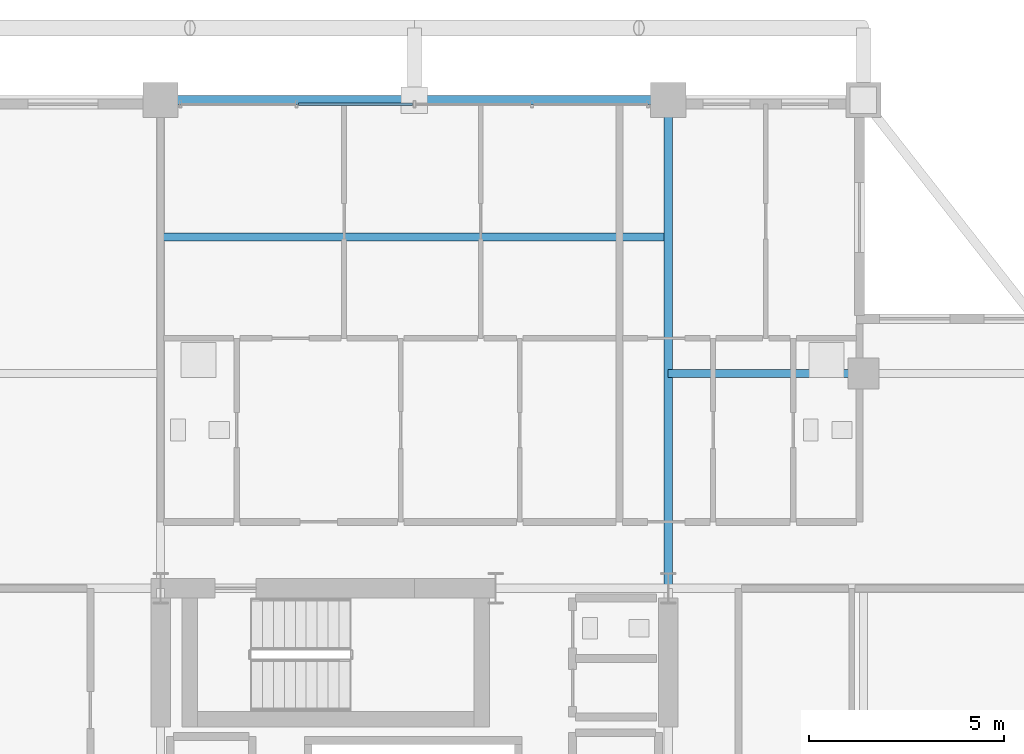
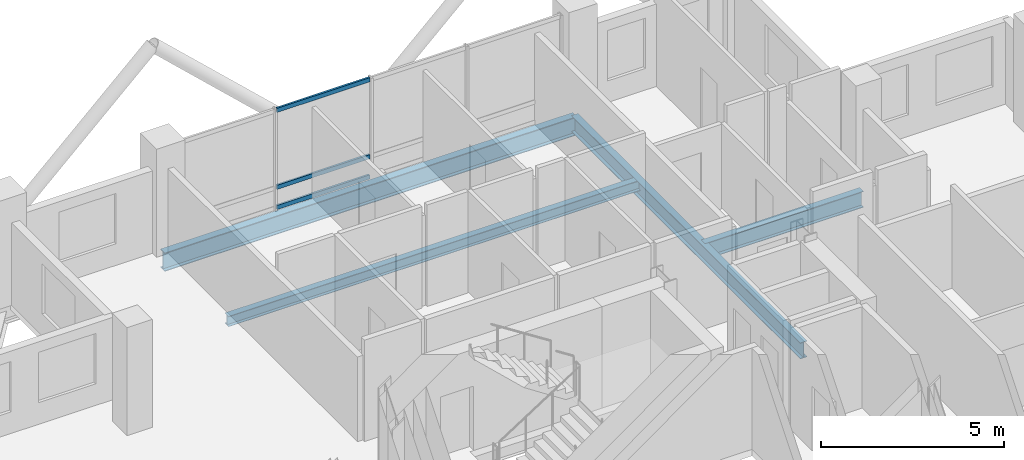
# One storey, part 16 of 24: 4 beams, 3 members, 1 element without a shape of its own.
"""IFC4 building model written with IfcOpenShell, lengths in metres."""

import ifcopenshell
import ifcopenshell.guid

model = None  # the IFC model being written
_history = None  # IfcOwnerHistory: only IFC2X3 demands one
_inside = {}  # id of a spatial element -> (the spatial element, [elements in it])
_under = {}  # id of a project, library or spatial element -> (it, [spatial elements below it])
_declared = {}  # id of a project -> (the project, [libraries it declares])
_typed = {}  # id of a type object -> (the type object, [elements of that type])
_made_of = {}  # id of a material, layer set ... -> (it, [elements and type objects made of it])


def new_model(schema):
    """Start an empty IFC model of exactly this schema.

    Asked for "IFC4X3", IfcOpenShell would pick the latest addendum, in which some entities
    have other attributes; the version numbers below select the first issue.
    IFC2X3 requires an IfcOwnerHistory on every rooted entity: one is made here for all.
    """
    global model, _history
    if schema == "IFC4X3":
        model = ifcopenshell.file(schema_version=(4, 3, 0, 0))
    else:
        model = ifcopenshell.file(schema=schema)
    _inside.clear()
    _under.clear()
    _declared.clear()
    _typed.clear()
    _made_of.clear()
    _history = None
    if model.schema == "IFC2X3":
        org = make("IfcOrganization", Name="unknown")
        user = make(
            "IfcPersonAndOrganization",
            ThePerson=make("IfcPerson", FamilyName="unknown"),
            TheOrganization=org,
        )
        app = make(
            "IfcApplication",
            ApplicationDeveloper=org,
            Version="unknown",
            ApplicationFullName="unknown",
            ApplicationIdentifier="unknown",
        )
        _history = make(
            "IfcOwnerHistory",
            OwningUser=user,
            OwningApplication=app,
            ChangeAction="ADDED",
            CreationDate=0,
        )
    return model


def make(cls, **values):
    """One entity of the class cls with the attributes given. An attribute that is None is left unset."""
    return model.create_entity(
        cls, **{name: value for name, value in values.items() if value is not None}
    )


def rooted(cls, **values):
    """An entity with a GlobalId (a new one), such as an element, a storey or a relation."""
    return make(cls, GlobalId=ifcopenshell.guid.new(), OwnerHistory=_history, **values)


def si_unit(unit_type, name, prefix=None):
    """IfcSIUnit, for example si_unit("LENGTHUNIT", "METRE", prefix="MILLI")."""
    return make("IfcSIUnit", UnitType=unit_type, Prefix=prefix, Name=name)


def assignment(units):
    """IfcUnitAssignment: the units of a project."""
    return None if units is None else make("IfcUnitAssignment", Units=units)


def point(xyz):
    """IfcCartesianPoint."""
    return None if xyz is None else make("IfcCartesianPoint", Coordinates=xyz)


def direction(xyz):
    """IfcDirection."""
    return None if xyz is None else make("IfcDirection", DirectionRatios=xyz)


def frame(location, z_axis=None, x_axis=None):
    """IfcAxis2Placement3D, a coordinate frame: its origin and axes. An axis left out is left unset."""
    return make(
        "IfcAxis2Placement3D",
        Location=point(location),
        Axis=direction(z_axis),
        RefDirection=direction(x_axis),
    )


def frame_2d(location, x_axis=None):
    """IfcAxis2Placement2D, a coordinate frame in the plane: its origin and x axis."""
    return make(
        "IfcAxis2Placement2D", Location=point(location), RefDirection=direction(x_axis)
    )


def origin():
    """The frame at (0, 0, 0) with its axes left unset."""
    return frame((0.0, 0.0, 0.0))


def origin_2d():
    """The frame at (0, 0) in the plane with its x axis left unset."""
    return frame_2d((0.0, 0.0))


def place(relative_to, where):
    """IfcLocalPlacement: puts the frame where relative to a parent placement (None: the world)."""
    return make(
        "IfcLocalPlacement", PlacementRelTo=relative_to, RelativePlacement=where
    )


def context(
    kind, dimensions, precision=None, world=None, true_north=None, identifier=None
):
    """IfcGeometricRepresentationContext, for example the 3D "Model" context."""
    return make(
        "IfcGeometricRepresentationContext",
        ContextIdentifier=identifier,
        ContextType=kind,
        CoordinateSpaceDimension=dimensions,
        Precision=precision,
        WorldCoordinateSystem=world,
        TrueNorth=true_north,
    )


def subcontext(parent, identifier, kind, view, scale=None):
    """IfcGeometricRepresentationSubContext, for example "Body" below "Model"."""
    return make(
        "IfcGeometricRepresentationSubContext",
        ContextIdentifier=identifier,
        ContextType=kind,
        ParentContext=parent,
        TargetScale=scale,
        TargetView=view,
    )


def project(units=None, contexts=None):
    """IfcProject with its units and contexts."""
    return rooted(
        "IfcProject",
        Name="project",
        RepresentationContexts=contexts,
        UnitsInContext=assignment(units),
    )


def spatial(cls, under=None, at=None, **own):
    """A site, building, storey or space (cls), placed at a placement, below another one or the project."""
    s = rooted(cls, ObjectPlacement=at, **own)
    if under is not None:
        _under.setdefault(under.id(), (under, []))[1].append(s)
    return s


def profile(cls, at=None, kind="AREA", **sizes):
    """A parametric profile (cls). Its sizes go by their IFC names, for example OverallWidth=200.0."""
    return make(cls, ProfileType=kind, Position=at, **sizes)


def hollow_rectangle(**sizes):
    """IfcRectangleHollowProfileDef."""
    return profile("IfcRectangleHollowProfileDef", **sizes)


def i_section(**sizes):
    """IfcIShapeProfileDef."""
    return profile("IfcIShapeProfileDef", **sizes)


def extrude(swept, where, along, depth):
    """IfcExtrudedAreaSolid: the profile swept, set in the frame where, extruded along a direction by depth."""
    return make(
        "IfcExtrudedAreaSolid",
        SweptArea=swept,
        Position=where,
        ExtrudedDirection=direction(along),
        Depth=depth,
    )


def shape(context_of_items, identifier, shape_type, items):
    """IfcShapeRepresentation: the items that make up one representation, for example the "Body"."""
    return make(
        "IfcShapeRepresentation",
        ContextOfItems=context_of_items,
        RepresentationIdentifier=identifier,
        RepresentationType=shape_type,
        Items=items,
    )


def material(Name=None, Category=None):
    """IfcMaterial."""
    return make("IfcMaterial", Name=Name, Category=Category)


def layer(
    of_material, thickness, ventilated=None, Name=None, Category=None, Priority=None
):
    """IfcMaterialLayer: one layer of a wall or slab, of a material (None: an air gap)."""
    return make(
        "IfcMaterialLayer",
        Material=of_material,
        LayerThickness=thickness,
        IsVentilated=ventilated,
        Name=Name,
        Category=Category,
        Priority=Priority,
    )


def layer_set(layers, Name=None):
    """IfcMaterialLayerSet."""
    return make("IfcMaterialLayerSet", MaterialLayers=layers, LayerSetName=Name)


def material_profile(
    of_material, cross_section, Name=None, Category=None, Priority=None
):
    """IfcMaterialProfile: a cross section and its material."""
    return make(
        "IfcMaterialProfile",
        Name=Name,
        Material=of_material,
        Profile=cross_section,
        Priority=Priority,
        Category=Category,
    )


def profile_set(profiles, Name=None, composite=None):
    """IfcMaterialProfileSet."""
    return make(
        "IfcMaterialProfileSet",
        Name=Name,
        MaterialProfiles=profiles,
        CompositeProfile=composite,
    )


def made_of(thing, what):
    """Note that an element or type object is made of a material, layer set ...; save() writes the relation."""
    if what is not None:
        _made_of.setdefault(what.id(), (what, []))[1].append(thing)
    return thing


def type_object(cls, material=None, **own):
    """A type object (cls), such as IfcWallType, which elements share."""
    return made_of(rooted(cls, **own), material)


def element(
    cls,
    number,
    at=None,
    inside=None,
    cuts=None,
    type_object=None,
    material=None,
    context=None,
    identifier="Body",
    shape_type=None,
    held_by="IfcProductDefinitionShape",
    body=None,
    shapes=None,
    **own,
):
    """One element of the class cls, such as IfcWall. Its Tag is "e" and its number.

    at: its placement. inside: the storey or other place that contains it. cuts: it is an
    opening in that element (IfcRelVoidsElement). A single representation is given by context,
    identifier, shape_type and body (its items); several are given by shapes. held_by: the class
    of the entity that holds the representations. save() writes the other relations.
    """
    e = rooted(cls, Tag="e%d" % number, ObjectPlacement=at, **own)
    if body is not None:
        shapes = [shape(context, identifier, shape_type, body)]
    if shapes is not None:
        e.Representation = make(held_by, Representations=shapes)
    if inside is not None:
        _inside.setdefault(inside.id(), (inside, []))[1].append(e)
    if cuts is not None:
        rooted(
            "IfcRelVoidsElement", RelatingBuildingElement=cuts, RelatedOpeningElement=e
        )
    if type_object is not None:
        _typed.setdefault(type_object.id(), (type_object, []))[1].append(e)
    return made_of(e, material)


def aggregate(whole, parts):
    """IfcRelAggregates: a whole, such as a stair, and the parts it consists of."""
    return rooted("IfcRelAggregates", RelatingObject=whole, RelatedObjects=parts)


def save(model, path):
    """Write the relations noted so far, then the file.

    IfcRelAggregates (storeys below a building ...), IfcRelContainedInSpatialStructure (elements
    in a storey), IfcRelDefinesByType, IfcRelAssociatesMaterial and IfcRelDeclares: one each for
    every whole, place, type object, material and project.
    """
    for whole, parts in _under.values():
        aggregate(whole, parts)
    for where, things in _inside.values():
        rooted(
            "IfcRelContainedInSpatialStructure",
            RelatedElements=things,
            RelatingStructure=where,
        )
    for kind, things in _typed.values():
        rooted("IfcRelDefinesByType", RelatedObjects=things, RelatingType=kind)
    for what, things in _made_of.values():
        rooted("IfcRelAssociatesMaterial", RelatedObjects=things, RelatingMaterial=what)
    for by, libraries in _declared.values():
        rooted("IfcRelDeclares", RelatingContext=by, RelatedDefinitions=libraries)
    model.write(path)


model = new_model("IFC4")

# Units and contexts
model_context = context("Model", 3, precision=1e-05, world=origin(), true_north=direction((0.0, 1.0)))
body_context = subcontext(model_context, "Body", "Model", "MODEL_VIEW")
ifc_project = project(units=[si_unit("LENGTHUNIT", "METRE"), si_unit("AREAUNIT", "SQUARE_METRE"), si_unit("VOLUMEUNIT", "CUBIC_METRE"), si_unit("PLANEANGLEUNIT", "RADIAN"), si_unit("MASSUNIT", "GRAM", prefix="KILO")], contexts=[model_context])

# Site, building, storey
site_placement = place(None, origin())
site = spatial("IfcSite", under=ifc_project, at=site_placement, CompositionType="ELEMENT")
building_placement = place(site_placement, origin())
building = spatial("IfcBuilding", under=site, at=building_placement, Name="Barlavira Tower and Art Museum", CompositionType="ELEMENT")
storey_placement = place(building_placement, frame((0.0, 0.0, 283.5)))
storey = spatial("IfcBuildingStorey", under=building, at=storey_placement, Name="L74", CompositionType="ELEMENT", Elevation=283.5)

# Curtain wall, members
ifc_material_1 = material(Name="Low-iron coastal laminated glass", Category="glass")
ifc_layer = layer(ifc_material_1, 0.2099609375, Name="Low-iron coastal laminated glass")
ifc_layer_set = layer_set([ifc_layer], Name="Low-iron coastal laminated glass")
curtain_wall_type = type_object("IfcCurtainWallType", Name="Pale-Metal Unitised Curtain Wall Zone 4", PredefinedType="NOTDEFINED", material=ifc_layer_set)
curtain_wall_placement = place(storey_placement, origin())
curtain_wall = element("IfcCurtainWall", 1, at=curtain_wall_placement, inside=storey, type_object=curtain_wall_type, Name="L74 Curtain Wall CW4-L74-N-B2", PredefinedType="NOTDEFINED")
ifc_material_2 = material(Name="Pale anodised aluminium", Category="aluminium")
ifc_material_profile_1 = material_profile(ifc_material_2, hollow_rectangle(XDim=0.06494140625, YDim=0.139892578125, WallThickness=0.00390625, at=origin_2d()), Name="ALU-TRAN 65x140x4")
ifc_profile_set_1 = profile_set([ifc_material_profile_1], Name="Pale anodised aluminium")
member_type = type_object("IfcMemberType", Name="Curtain Wall Pale-Metal Transom 65x140", PredefinedType="USERDEFINED", material=ifc_profile_set_1)
member_1_placement = place(storey_placement, frame((-0.044921875, 19.89990234375, 0.070068359375), z_axis=(-1.0, 0.0, 0.0), x_axis=(0.0, -1.0, 0.0)))
member_1 = element("IfcMember", 2, at=member_1_placement, type_object=member_type, Name="CW4-L74-N-B2 Transom 2.1", ObjectType="TRANSOM", PredefinedType="USERDEFINED", context=body_context, shape_type="SweptSolid", body=[
    extrude(hollow_rectangle(XDim=0.06494140625, YDim=0.139892578125, WallThickness=0.00390625, at=origin_2d()), origin(), (0.0, 0.0, 1.0), 2.925048828125),
])
member_2_placement = place(storey_placement, frame((-0.044921875, 19.89990234375, 0.743896484375), z_axis=(-1.0, 0.0, 0.0), x_axis=(0.0, -1.0, 0.0)))
member_2 = element("IfcMember", 3, at=member_2_placement, type_object=member_type, Name="CW4-L74-N-B2 Transom 2.2", ObjectType="TRANSOM", PredefinedType="USERDEFINED", context=body_context, shape_type="SweptSolid", body=[
    extrude(hollow_rectangle(XDim=0.06494140625, YDim=0.139892578125, WallThickness=0.00390625, at=origin_2d()), origin(), (0.0, 0.0, 1.0), 2.925048828125),
])
member_3_placement = place(storey_placement, frame((-0.044921875, 19.89990234375, 3.31005859375), z_axis=(-1.0, 0.0, 0.0), x_axis=(0.0, -1.0, 0.0)))
member_3 = element("IfcMember", 4, at=member_3_placement, type_object=member_type, Name="CW4-L74-N-B2 Transom 2.3", ObjectType="TRANSOM", PredefinedType="USERDEFINED", context=body_context, shape_type="SweptSolid", body=[
    extrude(hollow_rectangle(XDim=0.06494140625, YDim=0.139892578125, WallThickness=0.00390625, at=origin_2d()), origin(), (0.0, 0.0, 1.0), 2.925048828125),
])
aggregate(curtain_wall, [member_1, member_2, member_3])

# Beams
ifc_material_3 = material(Name="Steel S355", Category="steel")
ifc_material_profile_2 = material_profile(ifc_material_3, i_section(OverallWidth=0.22998046875, OverallDepth=0.616943359375, WebThickness=0.01318359375, FlangeThickness=0.022216796875, at=origin_2d()), Name="W610x140.0")
ifc_profile_set_2 = profile_set([ifc_material_profile_2], Name="Steel S355")
beam_type_1 = type_object("IfcBeamType", Name="Upper Shaft Spandrel Edge Beam W610x140 Steel S355", PredefinedType="SPANDREL", material=ifc_profile_set_2)
beam_1_placement = place(storey_placement, frame((-6.5, 20.0, -0.528564453125), z_axis=(1.0, 0.0, 0.0), x_axis=(0.0, 1.0, 0.0)))
element("IfcBeam", 5, at=beam_1_placement, inside=storey, type_object=beam_type_1, Name="L74 Spandrel 10", PredefinedType="SPANDREL", context=body_context, shape_type="SweptSolid", body=[
    extrude(i_section(OverallWidth=0.22998046875, OverallDepth=0.616943359375, WebThickness=0.01318359375, FlangeThickness=0.022216796875, at=origin_2d()), origin(), (0.0, 0.0, 1.0), 13.0),
])
ifc_material_profile_3 = material_profile(ifc_material_3, i_section(OverallWidth=0.2109375, OverallDepth=0.5390625, WebThickness=0.01171875, FlangeThickness=0.018798828125, at=origin_2d()), Name="W530x109.0")
ifc_profile_set_3 = profile_set([ifc_material_profile_3], Name="Steel S355")
beam_type_2 = type_object("IfcBeamType", Name="Zone 3-4 Primary Floor Girder W530x109 Steel S355", PredefinedType="BEAM", material=ifc_profile_set_3)
beam_2_placement = place(storey_placement, frame((6.5, 7.5, -0.489501953125), z_axis=(0.0, 1.0, 0.0), x_axis=(-1.0, 0.0, 0.0)))
element("IfcBeam", 6, at=beam_2_placement, inside=storey, type_object=beam_type_2, Name="L74 Girder R-N2", PredefinedType="BEAM", context=body_context, shape_type="SweptSolid", body=[
    extrude(i_section(OverallWidth=0.2109375, OverallDepth=0.5390625, WebThickness=0.01171875, FlangeThickness=0.018798828125, at=origin_2d()), origin(), (0.0, 0.0, 1.0), 12.5),
])
beam_3_placement = place(storey_placement, frame((6.5, 13.0, -0.489501953125), z_axis=(1.0, 0.0, 0.0), x_axis=(0.0, 1.0, 0.0)))
element("IfcBeam", 7, at=beam_3_placement, inside=storey, type_object=beam_type_2, Name="L74 Girder I-N3", PredefinedType="BEAM", context=body_context, shape_type="SweptSolid", body=[
    extrude(i_section(OverallWidth=0.2109375, OverallDepth=0.5390625, WebThickness=0.01171875, FlangeThickness=0.018798828125, at=origin_2d()), origin(), (0.0, 0.0, 1.0), 5.0),
])
ifc_material_profile_4 = material_profile(ifc_material_3, i_section(OverallWidth=0.202880859375, OverallDepth=0.346923828125, WebThickness=0.0078125, FlangeThickness=0.013427734375, at=origin_2d()), Name="W360x64.0")
ifc_profile_set_4 = profile_set([ifc_material_profile_4], Name="Steel S355")
beam_type_3 = type_object("IfcBeamType", Name="Zone 4 Composite Floor Joist W360x64 Steel S355", PredefinedType="JOIST", material=ifc_profile_set_4)
beam_4_placement = place(storey_placement, frame((-6.5, 16.5, -0.3935546875), z_axis=(1.0, 0.0, 0.0), x_axis=(0.0, 1.0, 0.0)))
element("IfcBeam", 8, at=beam_4_placement, inside=storey, type_object=beam_type_3, Name="L74 Joist C2", PredefinedType="JOIST", context=body_context, shape_type="SweptSolid", body=[
    extrude(i_section(OverallWidth=0.202880859375, OverallDepth=0.346923828125, WebThickness=0.0078125, FlangeThickness=0.013427734375, at=origin_2d()), origin(), (0.0, 0.0, 1.0), 13.0),
])

save(model, "model.ifc")
